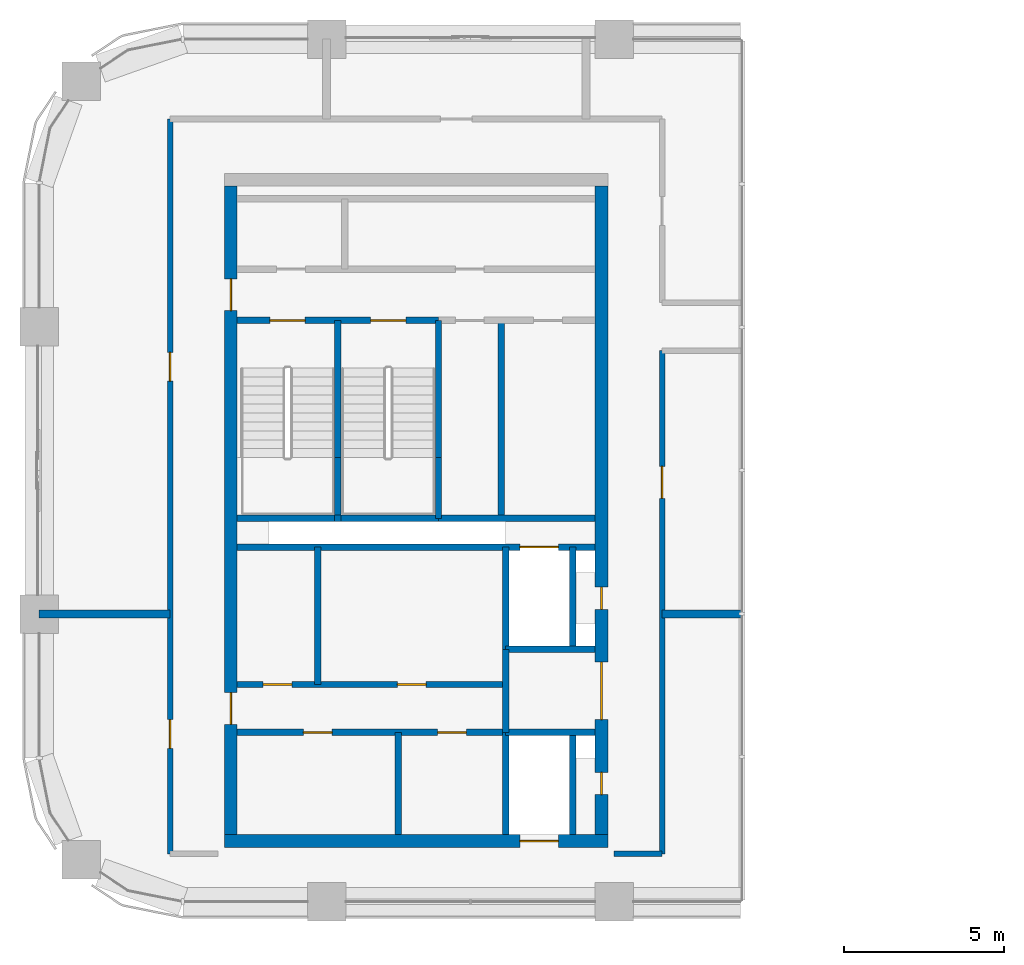
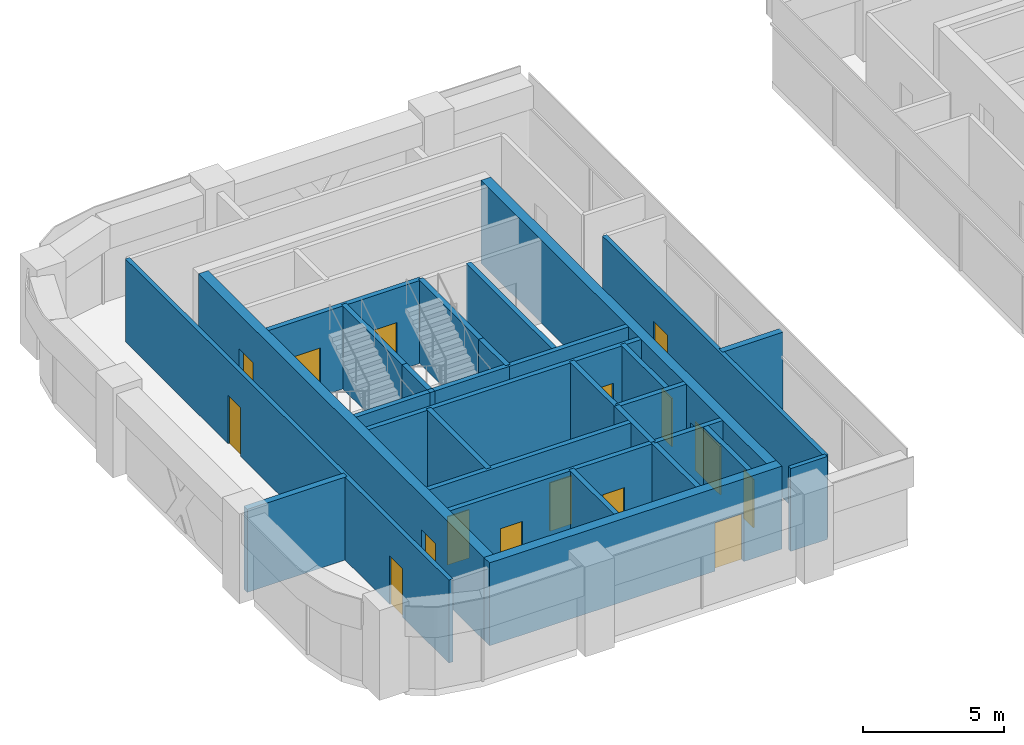
# One storey, part 6 of 16: 30 walls, 16 doors, 16 openings.
"""IFC4 building model written with IfcOpenShell, lengths in metres."""

from ifc_helpers import new_model, si_unit, direction, frame, frame_2d, origin, place, context, subcontext, project, spatial, rectangle, extrude, material, layer, layer_set, type_object, element, fill, save


model = new_model("IFC4")

# Units and contexts
model_context = context("Model", 3, precision=1e-05, world=origin(), true_north=direction((0.0, 1.0)))
body_context = subcontext(model_context, "Body", "Model", "MODEL_VIEW")
ifc_project = project(units=[si_unit("LENGTHUNIT", "METRE"), si_unit("AREAUNIT", "SQUARE_METRE"), si_unit("VOLUMEUNIT", "CUBIC_METRE"), si_unit("PLANEANGLEUNIT", "RADIAN"), si_unit("MASSUNIT", "GRAM", prefix="KILO")], contexts=[model_context])

# Site, building, storey
site_placement = place(None, origin())
site = spatial("IfcSite", under=ifc_project, at=site_placement, CompositionType="ELEMENT")
building_placement = place(site_placement, origin())
building = spatial("IfcBuilding", under=site, at=building_placement, Name="Tessera Arch", CompositionType="ELEMENT")
storey_placement = place(building_placement, frame((0.0, 0.0, 218.89990234375)))
storey = spatial("IfcBuildingStorey", under=building, at=storey_placement, Name="L52", CompositionType="ELEMENT", Elevation=218.89990234375)

# Walls
ifc_material_1 = material(Name="Gypsum board on steel stud", Category="steel")
ifc_layer_1 = layer(ifc_material_1, 0.125)
ifc_layer_set_1 = layer_set([ifc_layer_1], Name="Core partition 125 EI 60")
wall_type_1 = type_object("IfcWallType", Name="Core partition 125 EI 60", PredefinedType="PARTITIONING", material=ifc_layer_set_1)
wall_1_placement = place(storey_placement, frame((8.719970703125, 33.800048828125, 0.0), z_axis=(0.0, 0.0, 1.0), x_axis=(0.0, 1.0, 0.0)))
element("IfcWall", 1, at=wall_1_placement, inside=storey, type_object=wall_type_1, Name="L52 C2 partition wall 1", PredefinedType="PARTITIONING", context=body_context, shape_type="SweptSolid", body=[
    extrude(rectangle(XDim=4.300048828125, YDim=0.199951171875, at=frame_2d((2.14990234375, 0.0))), origin(), (0.0, 0.0, 1.0), 3.60009765625),
])
wall_2_placement = place(storey_placement, frame((11.239990234375, 29.10009765625, 0.0), z_axis=(0.0, 0.0, 1.0), x_axis=(0.0, 1.0, 0.0)))
element("IfcWall", 2, at=wall_2_placement, inside=storey, type_object=wall_type_1, Name="L52 C2 partition wall 5", PredefinedType="PARTITIONING", context=body_context, shape_type="SweptSolid", body=[
    extrude(rectangle(XDim=3.199951171875, YDim=0.199951171875, at=frame_2d((1.60009765625, 0.0))), origin(), (0.0, 0.0, 1.0), 3.60009765625),
])
wall_3_placement = place(storey_placement, frame((14.4599609375, 39.0, 0.0), z_axis=(0.0, 0.0, 1.0), x_axis=(0.0, 1.0, 0.0)))
element("IfcWall", 3, at=wall_3_placement, inside=storey, type_object=wall_type_1, Name="L52 C2 partition wall 8", PredefinedType="PARTITIONING", context=body_context, shape_type="SweptSolid", body=[
    extrude(rectangle(XDim=6.199951171875, YDim=0.199951171875, at=frame_2d((3.10009765625, 0.0))), origin(), (0.0, 0.0, 1.0), 3.60009765625),
])
wall_4_placement = place(storey_placement, frame((14.60009765625, 32.300048828125, 0.0), z_axis=(0.0, 0.0, 1.0), x_axis=(0.0, 1.0, 0.0)))
element("IfcWall", 4, at=wall_4_placement, inside=storey, type_object=wall_type_1, Name="L52 C2 partition wall 9", PredefinedType="PARTITIONING", context=body_context, shape_type="SweptSolid", body=[
    extrude(rectangle(XDim=2.599853515625, YDim=0.199951171875, at=frame_2d((1.2998046875, 0.0))), origin(), (0.0, 0.0, 1.0), 3.60009765625),
])

# Wall, openings, doors
wall_5_placement = place(storey_placement, frame((6.199951171875, 32.300048828125, 0.0), z_axis=(0.0, 0.0, 1.0), x_axis=(1.0, 0.0, 0.0)))
wall_5 = element("IfcWall", 5, at=wall_5_placement, inside=storey, type_object=wall_type_1, Name="L52 C2 partition wall 14", PredefinedType="PARTITIONING", context=body_context, shape_type="SweptSolid", body=[
    extrude(rectangle(XDim=8.400146484375, YDim=0.199951171875, at=frame_2d((4.2001953125, 0.0))), origin(), (0.0, 0.0, 1.0), 3.60009765625),
])
opening_1_placement = place(wall_5_placement, frame((2.070068359375, 0.0, 0.0)))
opening_1 = element("IfcOpeningElement", 6, at=opening_1_placement, cuts=wall_5, Name="Opening L52-C33", PredefinedType="OPENING", context=body_context, shape_type="SweptSolid", body=[
    extrude(rectangle(XDim=0.89990234375, YDim=2.10009765625, at=frame_2d((0.449951171875, 1.050048828125))), frame((0.0, 0.10986328125, 0.0), z_axis=(0.0, -1.0, 0.0), x_axis=(1.0, 0.0, 0.0)), (0.0, 0.0, 1.0), 0.219970703125),
])
opening_2_placement = place(wall_5_placement, frame((6.27001953125, 0.0, 0.0)))
opening_2 = element("IfcOpeningElement", 7, at=opening_2_placement, cuts=wall_5, Name="Opening L52-C34", PredefinedType="OPENING", context=body_context, shape_type="SweptSolid", body=[
    extrude(rectangle(XDim=0.89990234375, YDim=2.10009765625, at=frame_2d((0.449951171875, 1.050048828125))), frame((0.0, 0.10986328125, 0.0), z_axis=(0.0, -1.0, 0.0), x_axis=(1.0, 0.0, 0.0)), (0.0, 0.0, 1.0), 0.219970703125),
])
ifc_material_2 = material(Name="Steel door leaf", Category="steel")
door_type_1 = type_object("IfcDoorType", Name="Store door FD30S 900 x 2100", OperationType="SINGLE_SWING_LEFT", PredefinedType="DOOR", material=ifc_material_2)
door_1_placement = place(opening_1_placement, origin())
door_1 = element("IfcDoor", 8, at=door_1_placement, inside=storey, type_object=door_type_1, Name="L52 C2 door 14 C33 type D09", OperationType="SINGLE_SWING_LEFT", OverallHeight=2.10009765625, OverallWidth=0.89990234375, PredefinedType="DOOR", context=body_context, shape_type="SweptSolid", body=[
    extrude(rectangle(XDim=0.89990234375, YDim=2.10009765625, at=frame_2d((0.449951171875, 1.050048828125))), frame((0.0, 0.02490234375, 0.0), z_axis=(0.0, -1.0, 0.0), x_axis=(1.0, 0.0, 0.0)), (0.0, 0.0, 1.0), 0.050048828125),
])
fill(opening_1, door_1)
door_2_placement = place(opening_2_placement, origin())
door_2 = element("IfcDoor", 9, at=door_2_placement, inside=storey, type_object=door_type_1, Name="L52 C2 door 15 C34 type D09", OperationType="SINGLE_SWING_RIGHT", OverallHeight=2.10009765625, OverallWidth=0.89990234375, PredefinedType="DOOR", context=body_context, shape_type="SweptSolid", body=[
    extrude(rectangle(XDim=0.89990234375, YDim=2.10009765625, at=frame_2d((0.449951171875, 1.050048828125))), frame((0.0, 0.02490234375, 0.0), z_axis=(0.0, -1.0, 0.0), x_axis=(1.0, 0.0, 0.0)), (0.0, 0.0, 1.0), 0.050048828125),
])
fill(opening_2, door_2)

wall_6_placement = place(storey_placement, frame((6.199951171875, 33.800048828125, 0.0), z_axis=(0.0, 0.0, 1.0), x_axis=(1.0, 0.0, 0.0)))
wall_6 = element("IfcWall", 10, at=wall_6_placement, inside=storey, type_object=wall_type_1, Name="L52 C2 partition wall 16", PredefinedType="PARTITIONING", context=body_context, shape_type="SweptSolid", body=[
    extrude(rectangle(XDim=8.400146484375, YDim=0.199951171875, at=frame_2d((4.2001953125, 0.0))), origin(), (0.0, 0.0, 1.0), 3.60009765625),
])
opening_3_placement = place(wall_6_placement, frame((0.81005859375, 0.0, 0.0)))
opening_3 = element("IfcOpeningElement", 11, at=opening_3_placement, cuts=wall_6, Name="Opening L52-C35", PredefinedType="OPENING", context=body_context, shape_type="SweptSolid", body=[
    extrude(rectangle(XDim=0.89990234375, YDim=2.10009765625, at=frame_2d((0.449951171875, 1.050048828125))), frame((0.0, 0.10986328125, 0.0), z_axis=(0.0, -1.0, 0.0), x_axis=(1.0, 0.0, 0.0)), (0.0, 0.0, 1.0), 0.219970703125),
])
opening_4_placement = place(wall_6_placement, frame((5.010009765625, 0.0, 0.0)))
opening_4 = element("IfcOpeningElement", 12, at=opening_4_placement, cuts=wall_6, Name="Opening L52-C36", PredefinedType="OPENING", context=body_context, shape_type="SweptSolid", body=[
    extrude(rectangle(XDim=0.89990234375, YDim=2.10009765625, at=frame_2d((0.449951171875, 1.050048828125))), frame((0.0, 0.10986328125, 0.0), z_axis=(0.0, -1.0, 0.0), x_axis=(1.0, 0.0, 0.0)), (0.0, 0.0, 1.0), 0.219970703125),
])
door_3_placement = place(opening_3_placement, origin())
door_3 = element("IfcDoor", 13, at=door_3_placement, inside=storey, type_object=door_type_1, Name="L52 C2 door 16 C35 type D09", OperationType="SINGLE_SWING_LEFT", OverallHeight=2.10009765625, OverallWidth=0.89990234375, PredefinedType="DOOR", context=body_context, shape_type="SweptSolid", body=[
    extrude(rectangle(XDim=0.89990234375, YDim=2.10009765625, at=frame_2d((0.449951171875, 1.050048828125))), frame((0.0, 0.02490234375, 0.0), z_axis=(0.0, -1.0, 0.0), x_axis=(1.0, 0.0, 0.0)), (0.0, 0.0, 1.0), 0.050048828125),
])
fill(opening_3, door_3)
door_4_placement = place(opening_4_placement, origin())
door_4 = element("IfcDoor", 14, at=door_4_placement, inside=storey, type_object=door_type_1, Name="L52 C2 door 17 C36 type D09", OperationType="SINGLE_SWING_RIGHT", OverallHeight=2.10009765625, OverallWidth=0.89990234375, PredefinedType="DOOR", context=body_context, shape_type="SweptSolid", body=[
    extrude(rectangle(XDim=0.89990234375, YDim=2.10009765625, at=frame_2d((0.449951171875, 1.050048828125))), frame((0.0, 0.02490234375, 0.0), z_axis=(0.0, -1.0, 0.0), x_axis=(1.0, 0.0, 0.0)), (0.0, 0.0, 1.0), 0.050048828125),
])
fill(opening_4, door_4)

# Wall, opening, door
ifc_material_3 = material(Name="Concrete C50/60", Category="concrete")
ifc_layer_2 = layer(ifc_material_3, 0.39990234375)
ifc_layer_set_2 = layer_set([ifc_layer_2], Name="Core shell wall 400 C50-60")
wall_type_2 = type_object("IfcWallType", Name="Core shell wall 400 C50-60", PredefinedType="SHEAR", material=ifc_layer_set_2)
wall_7_placement = place(storey_placement, frame((5.800048828125, 28.89990234375, 0.0), z_axis=(0.0, 0.0, 1.0), x_axis=(1.0, 0.0, 0.0)))
wall_7 = element("IfcWall", 15, at=wall_7_placement, inside=storey, type_object=wall_type_2, Name="L52 C2 core wall S", PredefinedType="SHEAR", context=body_context, shape_type="SweptSolid", body=[
    extrude(rectangle(XDim=12.0, YDim=0.39990234375, at=frame_2d((6.0, 0.0))), origin(), (0.0, 0.0, 1.0), 3.60009765625),
])
opening_5_placement = place(wall_7_placement, frame((9.25, 0.0, 0.0)))
opening_5 = element("IfcOpeningElement", 16, at=opening_5_placement, cuts=wall_7, Name="Opening L52-C20", PredefinedType="OPENING", context=body_context, shape_type="SweptSolid", body=[
    extrude(rectangle(XDim=1.199951171875, YDim=2.10009765625, at=frame_2d((0.60009765625, 1.050048828125))), frame((0.0, 0.2099609375, 0.0), z_axis=(0.0, -1.0, 0.0), x_axis=(1.0, 0.0, 0.0)), (0.0, 0.0, 1.0), 0.419921875),
])
ifc_material_4 = material(Name="Stainless steel AISI 304", Category="steel")
door_type_2 = type_object("IfcDoorType", Name="Sliding landing door 1200 x 2100", OperationType="SLIDING_TO_LEFT", PredefinedType="DOOR", material=ifc_material_4)
door_5_placement = place(opening_5_placement, origin())
door_5 = element("IfcDoor", 17, at=door_5_placement, inside=storey, type_object=door_type_2, Name="L52 HR7 lift landing door C20 type LD", OperationType="SLIDING_TO_LEFT", OverallHeight=2.10009765625, OverallWidth=1.199951171875, PredefinedType="DOOR", context=body_context, shape_type="SweptSolid", body=[
    extrude(rectangle(XDim=1.199951171875, YDim=2.10009765625, at=frame_2d((0.60009765625, 1.050048828125))), frame((0.0, 0.02490234375, 0.0), z_axis=(0.0, -1.0, 0.0), x_axis=(1.0, 0.0, 0.0)), (0.0, 0.0, 1.0), 0.050048828125),
])
fill(opening_5, door_5)

# Wall, openings, doors
wall_8_placement = place(storey_placement, frame((6.0, 29.10009765625, 0.0), z_axis=(0.0, 0.0, 1.0), x_axis=(0.0, 1.0, 0.0)))
wall_8 = element("IfcWall", 18, at=wall_8_placement, inside=storey, type_object=wall_type_2, Name="L52 C2 core wall W", PredefinedType="SHEAR", context=body_context, shape_type="SweptSolid", body=[
    extrude(rectangle(XDim=20.2998046875, YDim=0.39990234375, at=frame_2d((10.14990234375, 0.0))), origin(), (0.0, 0.0, 1.0), 3.60009765625),
])
opening_6_placement = place(wall_8_placement, frame((3.449951171875, 0.0, 0.0)))
opening_6 = element("IfcOpeningElement", 19, at=opening_6_placement, cuts=wall_8, Name="Opening L52-C27", PredefinedType="OPENING", context=body_context, shape_type="SweptSolid", body=[
    extrude(rectangle(XDim=1.0, YDim=2.10009765625, at=frame_2d((0.5, 1.050048828125))), frame((0.0, 0.2099609375, 0.0), z_axis=(0.0, -1.0, 0.0), x_axis=(1.0, 0.0, 0.0)), (0.0, 0.0, 1.0), 0.419921875),
])
opening_7_placement = place(wall_8_placement, frame((16.39990234375, 0.0, 0.0)))
opening_7 = element("IfcOpeningElement", 20, at=opening_7_placement, cuts=wall_8, Name="Opening L52-C28", PredefinedType="OPENING", context=body_context, shape_type="SweptSolid", body=[
    extrude(rectangle(XDim=1.0, YDim=2.10009765625, at=frame_2d((0.5, 1.050048828125))), frame((0.0, 0.2099609375, 0.0), z_axis=(0.0, -1.0, 0.0), x_axis=(1.0, 0.0, 0.0)), (0.0, 0.0, 1.0), 0.419921875),
])
ifc_material_5 = material(Name="Steel door leaf", Category="steel")
door_type_3 = type_object("IfcDoorType", Name="Corridor door FD60 1000 x 2100", OperationType="SINGLE_SWING_LEFT", PredefinedType="DOOR", material=ifc_material_5)
door_6_placement = place(opening_6_placement, origin())
door_6 = element("IfcDoor", 21, at=door_6_placement, inside=storey, type_object=door_type_3, Name="L52 C2 door 8 C27 type D12", OperationType="SINGLE_SWING_LEFT", OverallHeight=2.10009765625, OverallWidth=1.0, PredefinedType="DOOR", context=body_context, shape_type="SweptSolid", body=[
    extrude(rectangle(XDim=1.0, YDim=2.10009765625, at=frame_2d((0.5, 1.050048828125))), frame((0.0, 0.02490234375, 0.0), z_axis=(0.0, -1.0, 0.0), x_axis=(1.0, 0.0, 0.0)), (0.0, 0.0, 1.0), 0.050048828125),
])
fill(opening_6, door_6)
door_7_placement = place(opening_7_placement, origin())
door_7 = element("IfcDoor", 22, at=door_7_placement, inside=storey, type_object=door_type_3, Name="L52 C2 door 9 C28 type D12", OperationType="SINGLE_SWING_RIGHT", OverallHeight=2.10009765625, OverallWidth=1.0, PredefinedType="DOOR", context=body_context, shape_type="SweptSolid", body=[
    extrude(rectangle(XDim=1.0, YDim=2.10009765625, at=frame_2d((0.5, 1.050048828125))), frame((0.0, 0.02490234375, 0.0), z_axis=(0.0, -1.0, 0.0), x_axis=(1.0, 0.0, 0.0)), (0.0, 0.0, 1.0), 0.050048828125),
])
fill(opening_7, door_7)

wall_9_placement = place(storey_placement, frame((17.60009765625, 29.10009765625, 0.0), z_axis=(0.0, 0.0, 1.0), x_axis=(0.0, 1.0, 0.0)))
wall_9 = element("IfcWall", 23, at=wall_9_placement, inside=storey, type_object=wall_type_2, Name="L52 C2 core wall E", PredefinedType="SHEAR", context=body_context, shape_type="SweptSolid", body=[
    extrude(rectangle(XDim=20.2998046875, YDim=0.39990234375, at=frame_2d((10.14990234375, 0.0))), origin(), (0.0, 0.0, 1.0), 3.60009765625),
])
opening_8_placement = place(wall_9_placement, frame((1.25, 0.0, 0.0)))
opening_8 = element("IfcOpeningElement", 24, at=opening_8_placement, cuts=wall_9, Name="Opening L52-C22", PredefinedType="OPENING", context=body_context, shape_type="SweptSolid", body=[
    extrude(rectangle(XDim=0.699951171875, YDim=2.10009765625, at=frame_2d((0.35009765625, 1.050048828125))), frame((0.0, 0.2099609375, 0.0), z_axis=(0.0, -1.0, 0.0), x_axis=(1.0, 0.0, 0.0)), (0.0, 0.0, 1.0), 0.419921875),
])
opening_9_placement = place(wall_9_placement, frame((7.050048828125, 0.0, 0.0)))
opening_9 = element("IfcOpeningElement", 25, at=opening_9_placement, cuts=wall_9, Name="Opening L52-C23", PredefinedType="OPENING", context=body_context, shape_type="SweptSolid", body=[
    extrude(rectangle(XDim=0.699951171875, YDim=2.10009765625, at=frame_2d((0.35009765625, 1.050048828125))), frame((0.0, 0.2099609375, 0.0), z_axis=(0.0, -1.0, 0.0), x_axis=(1.0, 0.0, 0.0)), (0.0, 0.0, 1.0), 0.419921875),
])
opening_10_placement = place(wall_9_placement, frame((3.60009765625, 0.0, 0.0)))
opening_10 = element("IfcOpeningElement", 26, at=opening_10_placement, cuts=wall_9, Name="Opening L52-C26", PredefinedType="OPENING", context=body_context, shape_type="SweptSolid", body=[
    extrude(rectangle(XDim=1.800048828125, YDim=2.10009765625, at=frame_2d((0.89990234375, 1.050048828125))), frame((0.0, 0.2099609375, 0.0), z_axis=(0.0, -1.0, 0.0), x_axis=(1.0, 0.0, 0.0)), (0.0, 0.0, 1.0), 0.419921875),
])
ifc_material_6 = material(Name="Glazed steel door leaf", Category="steel")
door_type_4 = type_object("IfcDoorType", Name="Lobby double door FD30S 1800 x 2100", OperationType="DOUBLE_DOOR_SINGLE_SWING", PredefinedType="DOOR", material=ifc_material_6)
door_8_placement = place(opening_10_placement, origin())
door_8 = element("IfcDoor", 27, at=door_8_placement, inside=storey, type_object=door_type_4, Name="L52 C2 door 7 C26 type D06", OperationType="DOUBLE_DOOR_SINGLE_SWING", OverallHeight=2.10009765625, OverallWidth=1.800048828125, PredefinedType="DOOR", context=body_context, shape_type="SweptSolid", body=[
    extrude(rectangle(XDim=1.800048828125, YDim=2.10009765625, at=frame_2d((0.89990234375, 1.050048828125))), frame((0.0, 0.02490234375, 0.0), z_axis=(0.0, -1.0, 0.0), x_axis=(1.0, 0.0, 0.0)), (0.0, 0.0, 1.0), 0.050048828125),
])
fill(opening_10, door_8)
ifc_material_7 = material(Name="Steel door leaf", Category="steel")
door_type_5 = type_object("IfcDoorType", Name="Service shaft door FD60 700 x 2100", OperationType="SINGLE_SWING_LEFT", PredefinedType="DOOR", material=ifc_material_7)
door_9_placement = place(opening_8_placement, origin())
door_9 = element("IfcDoor", 28, at=door_9_placement, inside=storey, type_object=door_type_5, Name="L52 C2 door 3 C22 type D07", OperationType="SINGLE_SWING_LEFT", OverallHeight=2.10009765625, OverallWidth=0.699951171875, PredefinedType="DOOR", context=body_context, shape_type="SweptSolid", body=[
    extrude(rectangle(XDim=0.699951171875, YDim=2.10009765625, at=frame_2d((0.35009765625, 1.050048828125))), frame((0.0, 0.02490234375, 0.0), z_axis=(0.0, -1.0, 0.0), x_axis=(1.0, 0.0, 0.0)), (0.0, 0.0, 1.0), 0.050048828125),
])
fill(opening_8, door_9)
door_10_placement = place(opening_9_placement, origin())
door_10 = element("IfcDoor", 29, at=door_10_placement, inside=storey, type_object=door_type_5, Name="L52 C2 door 4 C23 type D07", OperationType="SINGLE_SWING_LEFT", OverallHeight=2.10009765625, OverallWidth=0.699951171875, PredefinedType="DOOR", context=body_context, shape_type="SweptSolid", body=[
    extrude(rectangle(XDim=0.699951171875, YDim=2.10009765625, at=frame_2d((0.35009765625, 1.050048828125))), frame((0.0, 0.02490234375, 0.0), z_axis=(0.0, -1.0, 0.0), x_axis=(1.0, 0.0, 0.0)), (0.0, 0.0, 1.0), 0.050048828125),
])
fill(opening_9, door_10)

# Wall
ifc_material_8 = material(Name="Gypsum board on deep steel stud with mineral wool", Category="steel")
ifc_layer_3 = layer(ifc_material_8, 0.175048828125)
ifc_layer_set_3 = layer_set([ifc_layer_3], Name="Corridor wall 175 EI 60")
wall_type_3 = type_object("IfcWallType", Name="Corridor wall 175 EI 60", PredefinedType="PARTITIONING", material=ifc_layer_set_3)
wall_10_placement = place(storey_placement, frame((18.0, 28.5, 0.0), z_axis=(0.0, 0.0, 1.0), x_axis=(1.0, 0.0, 0.0)))
element("IfcWall", 30, at=wall_10_placement, inside=storey, type_object=wall_type_3, Name="L52 partition 2", PredefinedType="PARTITIONING", context=body_context, shape_type="SweptSolid", body=[
    extrude(rectangle(XDim=1.5, YDim=0.175048828125, at=frame_2d((0.75, 0.0))), origin(), (0.0, 0.0, 1.0), 3.60009765625),
])

# Wall, openings, doors
wall_11_placement = place(storey_placement, frame((4.10009765625, 28.5, 0.0), z_axis=(0.0, 0.0, 1.0), x_axis=(0.0, 1.0, 0.0)))
wall_11 = element("IfcWall", 31, at=wall_11_placement, inside=storey, type_object=wall_type_3, Name="L52 partition 11", PredefinedType="PARTITIONING", context=body_context, shape_type="SweptSolid", body=[
    extrude(rectangle(XDim=23.0, YDim=0.175048828125, at=frame_2d((11.5, 0.0))), origin(), (0.0, 0.0, 1.0), 3.60009765625),
])
opening_11_placement = place(wall_11_placement, frame((3.300048828125, 0.0, 0.0)))
opening_11 = element("IfcOpeningElement", 32, at=opening_11_placement, cuts=wall_11, Name="Opening L52-D001", PredefinedType="OPENING", context=body_context, shape_type="SweptSolid", body=[
    extrude(rectangle(XDim=0.89990234375, YDim=2.10009765625, at=frame_2d((0.449951171875, 1.050048828125))), frame((0.0, 0.097412109375, 0.0), z_axis=(0.0, -1.0, 0.0), x_axis=(1.0, 0.0, 0.0)), (0.0, 0.0, 1.0), 0.195068359375),
])
opening_12_placement = place(wall_11_placement, frame((14.800048828125, 0.0, 0.0)))
opening_12 = element("IfcOpeningElement", 33, at=opening_12_placement, cuts=wall_11, Name="Opening L52-D005", PredefinedType="OPENING", context=body_context, shape_type="SweptSolid", body=[
    extrude(rectangle(XDim=0.89990234375, YDim=2.10009765625, at=frame_2d((0.449951171875, 1.050048828125))), frame((0.0, 0.097412109375, 0.0), z_axis=(0.0, -1.0, 0.0), x_axis=(1.0, 0.0, 0.0)), (0.0, 0.0, 1.0), 0.195068359375),
])
ifc_material_9 = material(Name="Timber door leaf", Category="wood")
door_type_6 = type_object("IfcDoorType", Name="Room door 900 x 2100", OperationType="SINGLE_SWING_LEFT", PredefinedType="DOOR", material=ifc_material_9)
door_11_placement = place(opening_11_placement, origin())
door_11 = element("IfcDoor", 34, at=door_11_placement, inside=storey, type_object=door_type_6, Name="L52 door D001 type D01", OperationType="SINGLE_SWING_LEFT", OverallHeight=2.10009765625, OverallWidth=0.89990234375, PredefinedType="DOOR", context=body_context, shape_type="SweptSolid", body=[
    extrude(rectangle(XDim=0.89990234375, YDim=2.10009765625, at=frame_2d((0.449951171875, 1.050048828125))), frame((0.0, 0.02490234375, 0.0), z_axis=(0.0, -1.0, 0.0), x_axis=(1.0, 0.0, 0.0)), (0.0, 0.0, 1.0), 0.050048828125),
])
fill(opening_11, door_11)
door_12_placement = place(opening_12_placement, origin())
door_12 = element("IfcDoor", 35, at=door_12_placement, inside=storey, type_object=door_type_6, Name="L52 door D005 type D01", OperationType="SINGLE_SWING_LEFT", OverallHeight=2.10009765625, OverallWidth=0.89990234375, PredefinedType="DOOR", context=body_context, shape_type="SweptSolid", body=[
    extrude(rectangle(XDim=0.89990234375, YDim=2.10009765625, at=frame_2d((0.449951171875, 1.050048828125))), frame((0.0, 0.02490234375, 0.0), z_axis=(0.0, -1.0, 0.0), x_axis=(1.0, 0.0, 0.0)), (0.0, 0.0, 1.0), 0.050048828125),
])
fill(opening_12, door_12)

# Wall, opening, door
wall_12_placement = place(storey_placement, frame((19.5, 28.5, 0.0), z_axis=(0.0, 0.0, 1.0), x_axis=(0.0, 1.0, 0.0)))
wall_12 = element("IfcWall", 36, at=wall_12_placement, inside=storey, type_object=wall_type_3, Name="L52 partition 12", PredefinedType="PARTITIONING", context=body_context, shape_type="SweptSolid", body=[
    extrude(rectangle(XDim=15.75, YDim=0.175048828125, at=frame_2d((7.875, 0.0))), origin(), (0.0, 0.0, 1.0), 3.60009765625),
])
opening_13_placement = place(wall_12_placement, frame((11.125, 0.0, 0.0)))
opening_13 = element("IfcOpeningElement", 37, at=opening_13_placement, cuts=wall_12, Name="Opening L52-D003", PredefinedType="OPENING", context=body_context, shape_type="SweptSolid", body=[
    extrude(rectangle(XDim=1.0, YDim=2.10009765625, at=frame_2d((0.5, 1.050048828125))), frame((0.0, 0.097412109375, 0.0), z_axis=(0.0, -1.0, 0.0), x_axis=(1.0, 0.0, 0.0)), (0.0, 0.0, 1.0), 0.195068359375),
])
ifc_material_10 = material(Name="Fire-rated door leaf")
door_type_7 = type_object("IfcDoorType", Name="Entrance door FD30S 1000 x 2100", OperationType="SINGLE_SWING_LEFT", PredefinedType="DOOR", material=ifc_material_10)
door_13_placement = place(opening_13_placement, origin())
door_13 = element("IfcDoor", 38, at=door_13_placement, inside=storey, type_object=door_type_7, Name="L52 door D003 type D03", OperationType="SINGLE_SWING_RIGHT", OverallHeight=2.10009765625, OverallWidth=1.0, PredefinedType="DOOR", context=body_context, shape_type="SweptSolid", body=[
    extrude(rectangle(XDim=1.0, YDim=2.10009765625, at=frame_2d((0.5, 1.050048828125))), frame((0.0, 0.02490234375, 0.0), z_axis=(0.0, -1.0, 0.0), x_axis=(1.0, 0.0, 0.0)), (0.0, 0.0, 1.0), 0.050048828125),
])
fill(opening_13, door_13)

# Walls
ifc_material_11 = material(Name="Double gypsum board on twin steel stud with acoustic mineral wool", Category="steel")
ifc_layer_4 = layer(ifc_material_11, 0.25)
ifc_layer_set_4 = layer_set([ifc_layer_4], Name="Party wall 250 EI 60")
wall_type_4 = type_object("IfcWallType", Name="Party wall 250 EI 60", PredefinedType="PARTITIONING", material=ifc_layer_set_4)
wall_13_placement = place(storey_placement, frame((0.0, 36.0, 0.0), z_axis=(0.0, 0.0, 1.0), x_axis=(1.0, 0.0, 0.0)))
element("IfcWall", 39, at=wall_13_placement, inside=storey, type_object=wall_type_4, Name="L52 partition 17", PredefinedType="PARTITIONING", context=body_context, shape_type="SweptSolid", body=[
    extrude(rectangle(XDim=4.10009765625, YDim=0.25, at=frame_2d((2.050048828125, 0.0))), origin(), (0.0, 0.0, 1.0), 3.60009765625),
])
wall_14_placement = place(storey_placement, frame((19.5, 36.0, 0.0), z_axis=(0.0, 0.0, 1.0), x_axis=(1.0, 0.0, 0.0)))
element("IfcWall", 40, at=wall_14_placement, inside=storey, type_object=wall_type_4, Name="L52 partition 18", PredefinedType="PARTITIONING", context=body_context, shape_type="SweptSolid", body=[
    extrude(rectangle(XDim=2.5, YDim=0.25, at=frame_2d((1.25, 0.0))), origin(), (0.0, 0.0, 1.0), 3.60009765625),
])
ifc_material_12 = material(Name="Concrete C40/50", Category="concrete")
ifc_layer_5 = layer(ifc_material_12, 0.199951171875)
ifc_layer_set_5 = layer_set([ifc_layer_5], Name="Shaft wall 200 EI 120")
wall_type_5 = type_object("IfcWallType", Name="Shaft wall 200 EI 120", PredefinedType="SOLIDWALL", material=ifc_layer_set_5)
wall_15_placement = place(storey_placement, frame((14.60009765625, 29.10009765625, 0.0), z_axis=(0.0, 0.0, 1.0), x_axis=(0.0, 1.0, 0.0)))
element("IfcWall", 41, at=wall_15_placement, inside=storey, type_object=wall_type_5, Name="L52 C2 shaft wall 10", PredefinedType="SOLIDWALL", context=body_context, shape_type="SweptSolid", body=[
    extrude(rectangle(XDim=3.199951171875, YDim=0.199951171875, at=frame_2d((1.60009765625, 0.0))), origin(), (0.0, 0.0, 1.0), 3.60009765625),
])
wall_16_placement = place(storey_placement, frame((14.60009765625, 34.89990234375, 0.0), z_axis=(0.0, 0.0, 1.0), x_axis=(0.0, 1.0, 0.0)))
element("IfcWall", 42, at=wall_16_placement, inside=storey, type_object=wall_type_5, Name="L52 C2 shaft wall 11", PredefinedType="SOLIDWALL", context=body_context, shape_type="SweptSolid", body=[
    extrude(rectangle(XDim=3.2001953125, YDim=0.199951171875, at=frame_2d((1.60009765625, 0.0))), origin(), (0.0, 0.0, 1.0), 3.60009765625),
])
wall_17_placement = place(storey_placement, frame((16.699951171875, 29.10009765625, 0.0), z_axis=(0.0, 0.0, 1.0), x_axis=(0.0, 1.0, 0.0)))
element("IfcWall", 43, at=wall_17_placement, inside=storey, type_object=wall_type_5, Name="L52 C2 shaft wall 12", PredefinedType="SOLIDWALL", context=body_context, shape_type="SweptSolid", body=[
    extrude(rectangle(XDim=3.199951171875, YDim=0.199951171875, at=frame_2d((1.60009765625, 0.0))), origin(), (0.0, 0.0, 1.0), 3.60009765625),
])
wall_18_placement = place(storey_placement, frame((16.699951171875, 34.89990234375, 0.0), z_axis=(0.0, 0.0, 1.0), x_axis=(0.0, 1.0, 0.0)))
element("IfcWall", 44, at=wall_18_placement, inside=storey, type_object=wall_type_5, Name="L52 C2 shaft wall 13", PredefinedType="SOLIDWALL", context=body_context, shape_type="SweptSolid", body=[
    extrude(rectangle(XDim=3.2001953125, YDim=0.199951171875, at=frame_2d((1.60009765625, 0.0))), origin(), (0.0, 0.0, 1.0), 3.60009765625),
])
for number, where, z_axis, x_axis, name in (
    (45, (14.60009765625, 32.300048828125, 0.0), (0.0, 0.0, 1.0), (1.0, 0.0, 0.0), "L52 C2 shaft wall 15"),
    (46, (14.60009765625, 34.89990234375, 0.0), (0.0, 0.0, 1.0), (1.0, 0.0, 0.0), "L52 C2 shaft wall 17"),
):
    element("IfcWall", number, at=place(storey_placement, frame(where, z_axis=z_axis, x_axis=x_axis)), inside=storey, type_object=wall_type_5, Name=name, PredefinedType="SOLIDWALL", context=body_context, shape_type="SweptSolid", body=[
        extrude(rectangle(XDim=2.7998046875, YDim=0.199951171875, at=frame_2d((1.39990234375, 0.0))), origin(), (0.0, 0.0, 1.0), 3.60009765625),
    ])

# Wall, opening, door
wall_19_placement = place(storey_placement, frame((6.199951171875, 38.10009765625, 0.0), z_axis=(0.0, 0.0, 1.0), x_axis=(1.0, 0.0, 0.0)))
wall_19 = element("IfcWall", 47, at=wall_19_placement, inside=storey, type_object=wall_type_5, Name="L52 C2 shaft wall 18", PredefinedType="SOLIDWALL", context=body_context, shape_type="SweptSolid", body=[
    extrude(rectangle(XDim=11.199951171875, YDim=0.199951171875, at=frame_2d((5.60009765625, 0.0))), origin(), (0.0, 0.0, 1.0), 3.60009765625),
])
opening_14_placement = place(wall_19_placement, frame((8.85009765625, 0.0, 0.0)))
opening_14 = element("IfcOpeningElement", 48, at=opening_14_placement, cuts=wall_19, Name="Opening L52-C21", PredefinedType="OPENING", context=body_context, shape_type="SweptSolid", body=[
    extrude(rectangle(XDim=1.199951171875, YDim=2.10009765625, at=frame_2d((0.60009765625, 1.050048828125))), frame((0.0, 0.10986328125, 0.0), z_axis=(0.0, -1.0, 0.0), x_axis=(1.0, 0.0, 0.0)), (0.0, 0.0, 1.0), 0.219970703125),
])
door_14_placement = place(opening_14_placement, origin())
door_14 = element("IfcDoor", 49, at=door_14_placement, inside=storey, type_object=door_type_2, Name="L52 HR8 lift landing door C21 type LD", OperationType="SLIDING_TO_LEFT", OverallHeight=2.10009765625, OverallWidth=1.199951171875, PredefinedType="DOOR", context=body_context, shape_type="SweptSolid", body=[
    extrude(rectangle(XDim=1.199951171875, YDim=2.10009765625, at=frame_2d((0.60009765625, 1.050048828125))), frame((0.0, 0.02490234375, 0.0), z_axis=(0.0, -1.0, 0.0), x_axis=(1.0, 0.0, 0.0)), (0.0, 0.0, 1.0), 0.050048828125),
])
fill(opening_14, door_14)

# Walls
wall_20_placement = place(storey_placement, frame((12.5, 39.0, 0.0), z_axis=(0.0, 0.0, 1.0), x_axis=(1.0, 0.0, 0.0)))
element("IfcWall", 50, at=wall_20_placement, inside=storey, type_object=wall_type_5, Name="L52 C2 shaft wall 19", PredefinedType="SOLIDWALL", context=body_context, shape_type="SweptSolid", body=[
    extrude(rectangle(XDim=4.89990234375, YDim=0.199951171875, at=frame_2d((2.449951171875, 0.0))), origin(), (0.0, 0.0, 1.0), 3.60009765625),
])
ifc_material_13 = material(Name="Concrete C40/50", Category="concrete")
ifc_layer_6 = layer(ifc_material_13, 0.199951171875)
ifc_layer_set_6 = layer_set([ifc_layer_6], Name="Stair well wall 200 REI 180")
wall_type_6 = type_object("IfcWallType", Name="Stair well wall 200 REI 180", PredefinedType="SOLIDWALL", material=ifc_layer_set_6)
wall_21_placement = place(storey_placement, frame((9.35009765625, 39.0, 0.0), z_axis=(0.0, 0.0, 1.0), x_axis=(0.0, 1.0, 0.0)))
element("IfcWall", 51, at=wall_21_placement, inside=storey, type_object=wall_type_6, Name="L52 C2 shaft wall 2", PredefinedType="SOLIDWALL", context=body_context, shape_type="SweptSolid", body=[
    extrude(rectangle(XDim=1.89990234375, YDim=0.199951171875, at=frame_2d((0.949951171875, 0.0))), origin(), (0.0, 0.0, 1.0), 3.60009765625),
])
wall_22_placement = place(storey_placement, frame((9.35009765625, 40.89990234375, 0.0), z_axis=(0.0, 0.0, 1.0), x_axis=(0.0, 1.0, 0.0)))
element("IfcWall", 52, at=wall_22_placement, inside=storey, type_object=wall_type_6, Name="L52 C2 shaft wall 3", PredefinedType="SOLIDWALL", context=body_context, shape_type="SweptSolid", body=[
    extrude(rectangle(XDim=4.300048828125, YDim=0.199951171875, at=frame_2d((2.14990234375, 0.0))), origin(), (0.0, 0.0, 1.0), 3.60009765625),
])
wall_23_placement = place(storey_placement, frame((12.5, 39.0, 0.0), z_axis=(0.0, 0.0, 1.0), x_axis=(0.0, 1.0, 0.0)))
element("IfcWall", 53, at=wall_23_placement, inside=storey, type_object=wall_type_6, Name="L52 C2 shaft wall 6", PredefinedType="SOLIDWALL", context=body_context, shape_type="SweptSolid", body=[
    extrude(rectangle(XDim=1.89990234375, YDim=0.199951171875, at=frame_2d((0.949951171875, 0.0))), origin(), (0.0, 0.0, 1.0), 3.60009765625),
])
wall_24_placement = place(storey_placement, frame((12.5, 40.89990234375, 0.0), z_axis=(0.0, 0.0, 1.0), x_axis=(0.0, 1.0, 0.0)))
element("IfcWall", 54, at=wall_24_placement, inside=storey, type_object=wall_type_6, Name="L52 C2 shaft wall 7", PredefinedType="SOLIDWALL", context=body_context, shape_type="SweptSolid", body=[
    extrude(rectangle(XDim=4.300048828125, YDim=0.199951171875, at=frame_2d((2.14990234375, 0.0))), origin(), (0.0, 0.0, 1.0), 3.60009765625),
])
wall_25_placement = place(storey_placement, frame((6.199951171875, 39.0, 0.0), z_axis=(0.0, 0.0, 1.0), x_axis=(1.0, 0.0, 0.0)))
element("IfcWall", 55, at=wall_25_placement, inside=storey, type_object=wall_type_6, Name="L52 C2 shaft wall 20", PredefinedType="SOLIDWALL", context=body_context, shape_type="SweptSolid", body=[
    extrude(rectangle(XDim=3.050048828125, YDim=0.199951171875, at=frame_2d((1.52490234375, 0.0))), origin(), (0.0, 0.0, 1.0), 3.60009765625),
])
wall_26_placement = place(storey_placement, frame((9.25, 39.0, 0.0), z_axis=(0.0, 0.0, 1.0), x_axis=(1.0, 0.0, 0.0)))
element("IfcWall", 56, at=wall_26_placement, inside=storey, type_object=wall_type_6, Name="L52 C2 shaft wall 21", PredefinedType="SOLIDWALL", context=body_context, shape_type="SweptSolid", body=[
    extrude(rectangle(XDim=0.199951171875, YDim=0.199951171875, at=frame_2d((0.10009765625, 0.0))), origin(), (0.0, 0.0, 1.0), 3.60009765625),
])
wall_27_placement = place(storey_placement, frame((9.449951171875, 39.0, 0.0), z_axis=(0.0, 0.0, 1.0), x_axis=(1.0, 0.0, 0.0)))
element("IfcWall", 57, at=wall_27_placement, inside=storey, type_object=wall_type_6, Name="L52 C2 shaft wall 22", PredefinedType="SOLIDWALL", context=body_context, shape_type="SweptSolid", body=[
    extrude(rectangle(XDim=3.050048828125, YDim=0.199951171875, at=frame_2d((1.52490234375, 0.0))), origin(), (0.0, 0.0, 1.0), 3.60009765625),
])

# Wall, openings, doors
wall_28_placement = place(storey_placement, frame((6.199951171875, 45.199951171875, 0.0), z_axis=(0.0, 0.0, 1.0), x_axis=(1.0, 0.0, 0.0)))
wall_28 = element("IfcWall", 58, at=wall_28_placement, inside=storey, type_object=wall_type_6, Name="L52 C2 shaft wall 24", PredefinedType="SOLIDWALL", context=body_context, shape_type="SweptSolid", body=[
    extrude(rectangle(XDim=6.300048828125, YDim=0.199951171875, at=frame_2d((3.14990234375, 0.0))), origin(), (0.0, 0.0, 1.0), 3.60009765625),
])
opening_15_placement = place(wall_28_placement, frame((1.02490234375, 0.0, 0.0)))
opening_15 = element("IfcOpeningElement", 59, at=opening_15_placement, cuts=wall_28, Name="Opening L52-C24", PredefinedType="OPENING", context=body_context, shape_type="SweptSolid", body=[
    extrude(rectangle(XDim=1.10009765625, YDim=2.10009765625, at=frame_2d((0.550048828125, 1.050048828125))), frame((0.0, 0.10986328125, 0.0), z_axis=(0.0, -1.0, 0.0), x_axis=(1.0, 0.0, 0.0)), (0.0, 0.0, 1.0), 0.219970703125),
])
opening_16_placement = place(wall_28_placement, frame((4.175048828125, 0.0, 0.0)))
opening_16 = element("IfcOpeningElement", 60, at=opening_16_placement, cuts=wall_28, Name="Opening L52-C25", PredefinedType="OPENING", context=body_context, shape_type="SweptSolid", body=[
    extrude(rectangle(XDim=1.10009765625, YDim=2.10009765625, at=frame_2d((0.550048828125, 1.050048828125))), frame((0.0, 0.10986328125, 0.0), z_axis=(0.0, -1.0, 0.0), x_axis=(1.0, 0.0, 0.0)), (0.0, 0.0, 1.0), 0.219970703125),
])
ifc_material_14 = material(Name="Steel door leaf", Category="steel")
door_type_8 = type_object("IfcDoorType", Name="Stair door FD60 1100 x 2100", OperationType="SINGLE_SWING_LEFT", PredefinedType="DOOR", material=ifc_material_14)
door_15_placement = place(opening_15_placement, origin())
door_15 = element("IfcDoor", 61, at=door_15_placement, inside=storey, type_object=door_type_8, Name="L52 C2 door 5 C24 type D05", OperationType="SINGLE_SWING_LEFT", OverallHeight=2.10009765625, OverallWidth=1.10009765625, PredefinedType="DOOR", context=body_context, shape_type="SweptSolid", body=[
    extrude(rectangle(XDim=1.10009765625, YDim=2.10009765625, at=frame_2d((0.550048828125, 1.050048828125))), frame((0.0, 0.02490234375, 0.0), z_axis=(0.0, -1.0, 0.0), x_axis=(1.0, 0.0, 0.0)), (0.0, 0.0, 1.0), 0.050048828125),
])
fill(opening_15, door_15)
door_16_placement = place(opening_16_placement, origin())
door_16 = element("IfcDoor", 62, at=door_16_placement, inside=storey, type_object=door_type_8, Name="L52 C2 door 6 C25 type D05", OperationType="SINGLE_SWING_RIGHT", OverallHeight=2.10009765625, OverallWidth=1.10009765625, PredefinedType="DOOR", context=body_context, shape_type="SweptSolid", body=[
    extrude(rectangle(XDim=1.10009765625, YDim=2.10009765625, at=frame_2d((0.550048828125, 1.050048828125))), frame((0.0, 0.02490234375, 0.0), z_axis=(0.0, -1.0, 0.0), x_axis=(1.0, 0.0, 0.0)), (0.0, 0.0, 1.0), 0.050048828125),
])
fill(opening_16, door_16)

save(model, "model.ifc")
